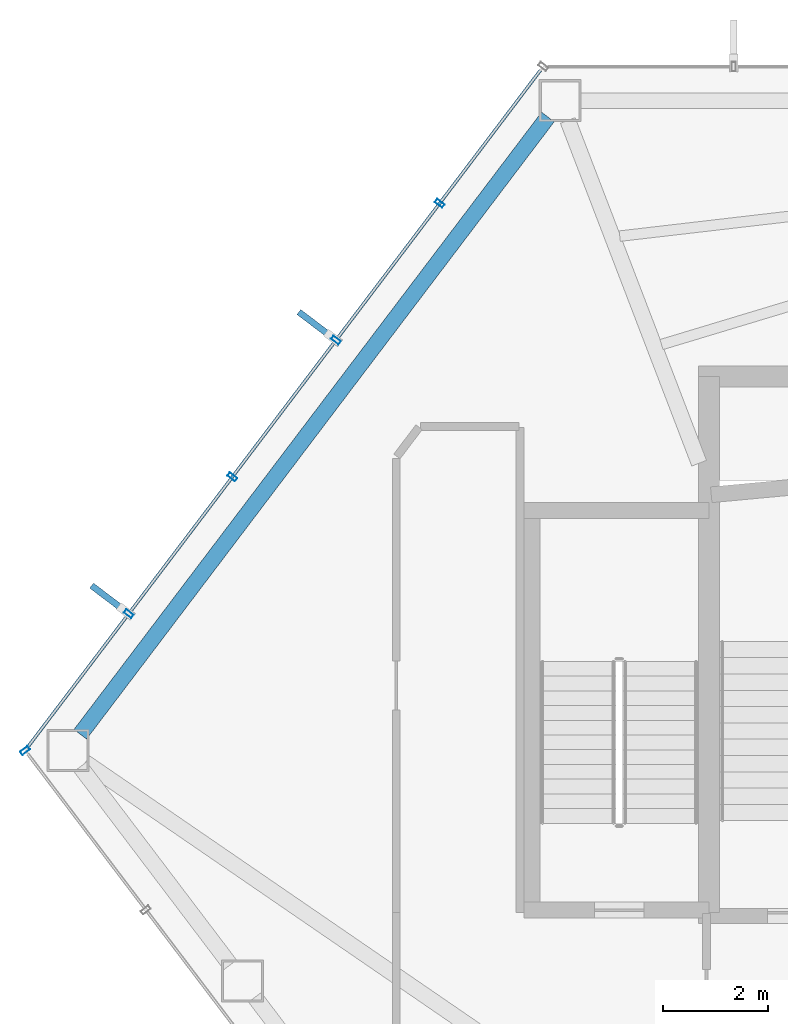
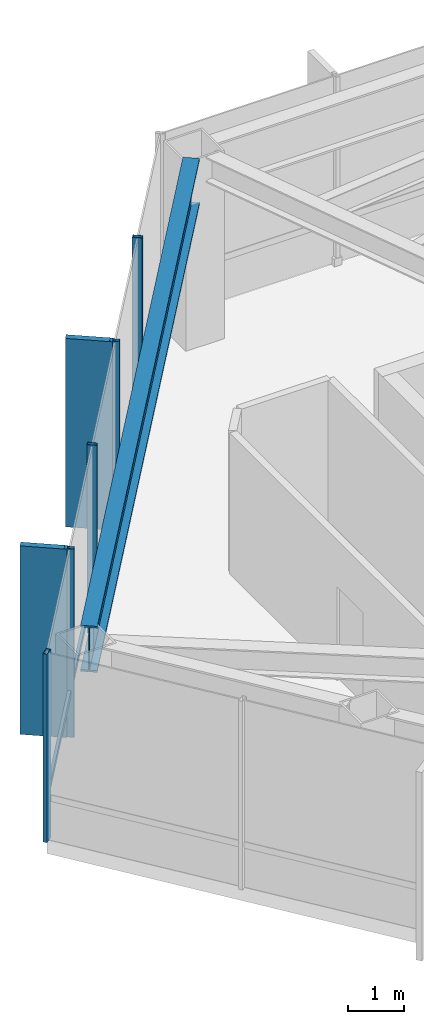
# One storey, part 10 of 27: 8 members, 1 beam, 2 elements without a shape of their own.
"""IFC4 building model written with IfcOpenShell, lengths in metres."""

from ifc_helpers import new_model, si_unit, direction, frame, origin, origin_2d, place, context, subcontext, project, spatial, rectangle, hollow_rectangle, i_section, extrude, material, layer, layer_set, material_profile, profile_set, type_object, element, aggregate, save


model = new_model("IFC4")

# Units and contexts
model_context = context("Model", 3, precision=1e-05, world=origin(), true_north=direction((0.0, 1.0)))
body_context = subcontext(model_context, "Body", "Model", "MODEL_VIEW")
ifc_project = project(units=[si_unit("LENGTHUNIT", "METRE"), si_unit("AREAUNIT", "SQUARE_METRE"), si_unit("VOLUMEUNIT", "CUBIC_METRE"), si_unit("PLANEANGLEUNIT", "RADIAN"), si_unit("MASSUNIT", "GRAM", prefix="KILO")], contexts=[model_context])

# Site, building, storey
site_placement = place(None, origin())
site = spatial("IfcSite", under=ifc_project, at=site_placement, CompositionType="ELEMENT")
building_placement = place(site_placement, origin())
building = spatial("IfcBuilding", under=site, at=building_placement, Name="Zarrinselat Tower", CompositionType="ELEMENT")
storey_placement = place(building_placement, frame((0.0, 0.0, 114.580078125)))
storey = spatial("IfcBuildingStorey", under=building, at=storey_placement, Name="L27", CompositionType="ELEMENT", Elevation=114.580078125)

# Beam
ifc_material_1 = material(Name="Steel S460M", Category="steel")
ifc_material_profile_1 = material_profile(ifc_material_1, i_section(OverallWidth=0.302001953125, OverallDepth=1.008056640625, WebThickness=0.02099609375, FlangeThickness=0.0400390625, at=origin_2d()), Name="HEM 1000")
ifc_profile_set_1 = profile_set([ifc_material_profile_1], Name="Steel S460M")
beam_type = type_object("IfcBeamType", Name="BM-HEM1000", PredefinedType="BEAM", material=ifc_profile_set_1)
beam_placement = place(storey_placement, frame((16.638671875, 36.644287109375, 3.615966796875), z_axis=(0.603859602723, 0.797090697599, 0.0), x_axis=(-0.797090697599, 0.603859602723, 0.0)))
element("IfcBeam", 1, at=beam_placement, inside=storey, type_object=beam_type, Name="L27 Perimeter Spandrel Girder SP05", PredefinedType="BEAM", context=body_context, shape_type="SweptSolid", body=[
    extrude(i_section(OverallWidth=0.302001953125, OverallDepth=1.008056640625, WebThickness=0.02099609375, FlangeThickness=0.0400390625, at=origin_2d()), origin(), (0.0, 0.0, 1.0), 14.7294921875),
])

# Curtain wall, member
ifc_material_2 = material(Name="Extruded Aluminium Alloy EN AW-6063 T6", Category="aluminium")
ifc_layer = layer(ifc_material_2, 0.195068359375)
ifc_layer_set = layer_set([ifc_layer], Name="Extruded Aluminium Alloy EN AW-6063 T6")
curtain_wall_type = type_object("IfcCurtainWallType", Name="CWS-GDN", PredefinedType="NOTDEFINED", material=ifc_layer_set)
curtain_wall_1_placement = place(storey_placement, origin())
curtain_wall_1 = element("IfcCurtainWall", 2, at=curtain_wall_1_placement, inside=storey, type_object=curtain_wall_type, Name="L27 Unitised Curtain Wall CW-L27-E02", PredefinedType="NOTDEFINED")
ifc_material_3 = material(Name="Extruded Aluminium Alloy EN AW-6063 T6", Category="aluminium")
ifc_material_profile_2 = material_profile(ifc_material_3, hollow_rectangle(XDim=0.080078125, YDim=0.179931640625, WallThickness=0.0048828125, at=origin_2d()), Name="RHS 180x80x5")
ifc_profile_set_2 = profile_set([ifc_material_profile_2], Name="Extruded Aluminium Alloy EN AW-6063 T6")
member_type_1 = type_object("IfcMemberType", Name="MEM-CW-MUL", PredefinedType="MULLION", material=ifc_profile_set_2)
member_1_placement = place(storey_placement, frame((15.5888671875, 36.335205078125, 0.0), z_axis=(0.0, 0.0, 1.0), x_axis=(-0.603858025511, 0.79709189246, 0.0)))
member_1 = element("IfcMember", 3, at=member_1_placement, type_object=member_type_1, Name="CW-L27-E02 Mullion 7", PredefinedType="MULLION", context=body_context, shape_type="SweptSolid", body=[
    extrude(hollow_rectangle(XDim=0.080078125, YDim=0.179931640625, WallThickness=0.0048828125, at=origin_2d()), origin(), (0.0, 0.0, 1.0), 4.119873046875),
])
aggregate(curtain_wall_1, [member_1])

# Curtain wall, members
curtain_wall_2_placement = place(storey_placement, origin())
curtain_wall_2 = element("IfcCurtainWall", 4, at=curtain_wall_2_placement, inside=storey, type_object=curtain_wall_type, Name="L27 Unitised Curtain Wall CW-L27-E03", PredefinedType="NOTDEFINED")
member_2_placement = place(storey_placement, frame((17.56005859375, 38.93701171875, 0.0), z_axis=(0.0, 0.0, 1.0), x_axis=(0.603856508336, 0.797093041834, 0.0)))
member_2 = element("IfcMember", 5, at=member_2_placement, type_object=member_type_1, Name="CW-L27-E03 Mullion 1", PredefinedType="MULLION", context=body_context, shape_type="SweptSolid", body=[
    extrude(hollow_rectangle(XDim=0.080078125, YDim=0.179931640625, WallThickness=0.0048828125, at=origin_2d()), origin(), (0.0, 0.0, 1.0), 4.119873046875),
])
member_3_placement = place(storey_placement, frame((19.531005859375, 41.538818359375, 0.0), z_axis=(0.0, 0.0, 1.0), x_axis=(0.603856508336, 0.797093041834, 0.0)))
member_3 = element("IfcMember", 6, at=member_3_placement, type_object=member_type_1, Name="CW-L27-E03 Mullion 2", PredefinedType="MULLION", context=body_context, shape_type="SweptSolid", body=[
    extrude(hollow_rectangle(XDim=0.080078125, YDim=0.179931640625, WallThickness=0.0048828125, at=origin_2d()), origin(), (0.0, 0.0, 1.0), 4.119873046875),
])
member_4_placement = place(storey_placement, frame((21.502197265625, 44.140625, 0.0), z_axis=(0.0, 0.0, 1.0), x_axis=(0.603856508336, 0.797093041834, 0.0)))
member_4 = element("IfcMember", 7, at=member_4_placement, type_object=member_type_1, Name="CW-L27-E03 Mullion 3", PredefinedType="MULLION", context=body_context, shape_type="SweptSolid", body=[
    extrude(hollow_rectangle(XDim=0.080078125, YDim=0.179931640625, WallThickness=0.0048828125, at=origin_2d()), origin(), (0.0, 0.0, 1.0), 4.119873046875),
])
member_5_placement = place(storey_placement, frame((23.473388671875, 46.742431640625, 0.0), z_axis=(0.0, 0.0, 1.0), x_axis=(0.603856508336, 0.797093041834, 0.0)))
member_5 = element("IfcMember", 8, at=member_5_placement, type_object=member_type_1, Name="CW-L27-E03 Mullion 4", PredefinedType="MULLION", context=body_context, shape_type="SweptSolid", body=[
    extrude(hollow_rectangle(XDim=0.080078125, YDim=0.179931640625, WallThickness=0.0048828125, at=origin_2d()), origin(), (0.0, 0.0, 1.0), 4.119873046875),
])
ifc_material_4 = material(Name="Extruded Aluminium Alloy EN AW-6063 T6", Category="aluminium")
ifc_material_profile_3 = material_profile(ifc_material_4, hollow_rectangle(XDim=0.06005859375, YDim=0.139892578125, WallThickness=0.00390625, at=origin_2d()), Name="RHS 140x60x4")
ifc_profile_set_3 = profile_set([ifc_material_profile_3], Name="Extruded Aluminium Alloy EN AW-6063 T6")
member_type_2 = type_object("IfcMemberType", Name="MEM-CW-TRN", PredefinedType="USERDEFINED", material=ifc_profile_set_3)
member_6_placement = place(storey_placement, frame((15.643310546875, 36.40673828125, 0.949951171875), z_axis=(0.603853028572, 0.797095677999, 0.0), x_axis=(-0.797095677999, 0.603853028572, 0.0)))
member_6 = element("IfcMember", 9, at=member_6_placement, type_object=member_type_2, Name="CW-L27-E03 Transom 1", ObjectType="TRANSOM", PredefinedType="USERDEFINED", context=body_context, shape_type="SweptSolid", body=[
    extrude(hollow_rectangle(XDim=0.06005859375, YDim=0.139892578125, WallThickness=0.00390625, at=origin_2d()), origin(), (0.0, 0.0, 1.0), 16.14111328125),
])
ifc_material_5 = material(Name="Honed Cream Travertine Stone", Category="masonry")
ifc_material_profile_4 = material_profile(ifc_material_5, rectangle(XDim=0.1201171875, YDim=0.85009765625, at=origin_2d()), Name="FIN 850x120")
ifc_profile_set_4 = profile_set([ifc_material_profile_4], Name="Honed Cream Travertine Stone")
member_type_3 = type_object("IfcMemberType", Name="MEM-STONE-FIN", PredefinedType="USERDEFINED", material=ifc_profile_set_4)
member_7_placement = place(storey_placement, frame((17.193359375, 39.21484375, 0.0), z_axis=(0.0, 0.0, 1.0), x_axis=(0.603856508336, 0.797093041834, 0.0)))
member_7 = element("IfcMember", 10, at=member_7_placement, type_object=member_type_3, Name="L27 Stone Shading Fin CW-L27-E03-01", ObjectType="FIN", PredefinedType="USERDEFINED", context=body_context, shape_type="SweptSolid", body=[
    extrude(rectangle(XDim=0.1201171875, YDim=0.85009765625, at=origin_2d()), origin(), (0.0, 0.0, 1.0), 4.119873046875),
])
member_8_placement = place(storey_placement, frame((21.135498046875, 44.41845703125, 0.0), z_axis=(0.0, 0.0, 1.0), x_axis=(0.603856508336, 0.797093041834, 0.0)))
member_8 = element("IfcMember", 11, at=member_8_placement, type_object=member_type_3, Name="L27 Stone Shading Fin CW-L27-E03-03", ObjectType="FIN", PredefinedType="USERDEFINED", context=body_context, shape_type="SweptSolid", body=[
    extrude(rectangle(XDim=0.1201171875, YDim=0.85009765625, at=origin_2d()), origin(), (0.0, 0.0, 1.0), 4.119873046875),
])
aggregate(curtain_wall_2, [member_2, member_7, member_3, member_4, member_8, member_5, member_6])

save(model, "model.ifc")
